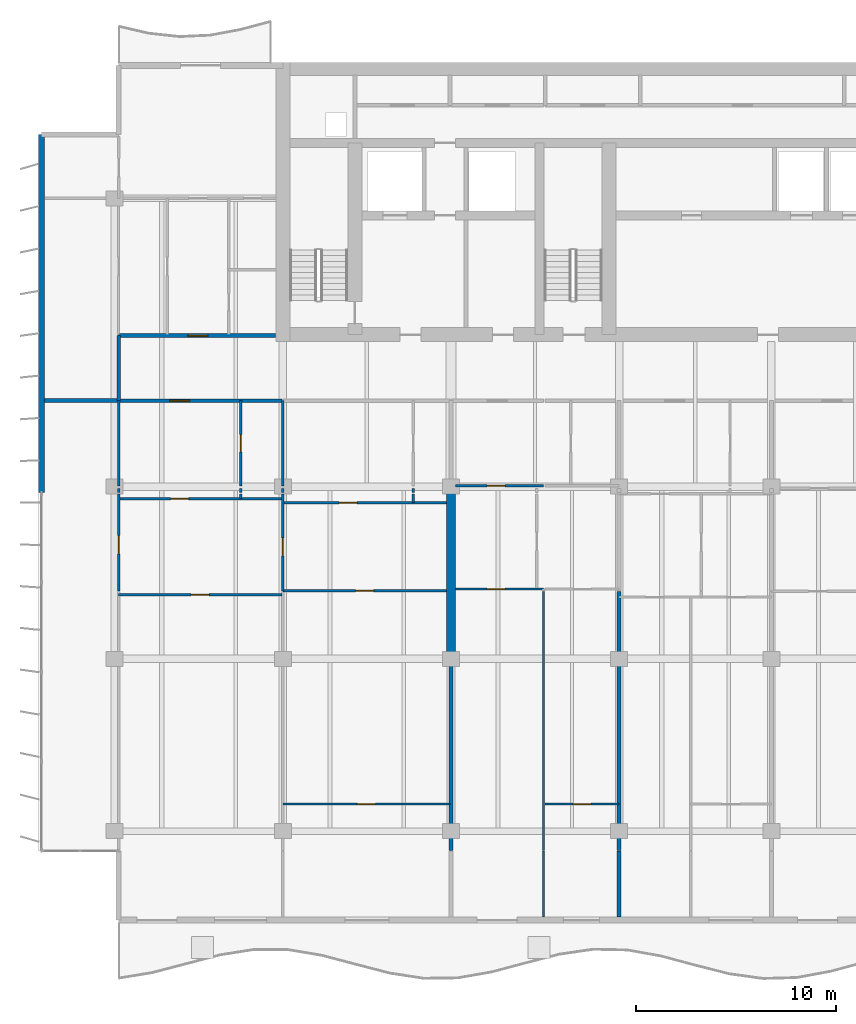
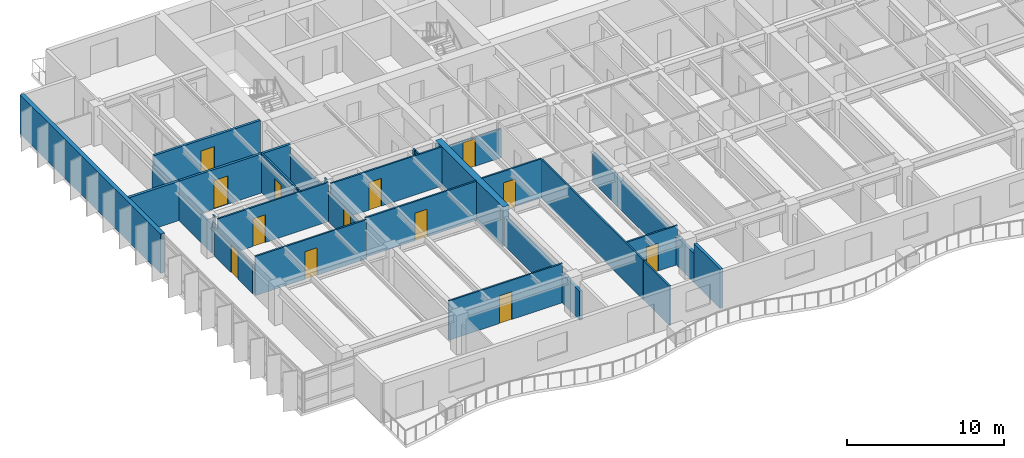
# One storey, part 8 of 19: 30 walls, 13 doors, 13 openings.
"""IFC4 building model written with IfcOpenShell, lengths in metres."""

from ifc_helpers import new_model, si_unit, direction, frame, frame_2d, origin, place, context, subcontext, project, spatial, rectangle, extrude, material, layer, layer_set, type_object, element, fill, save


model = new_model("IFC4")

# Units and contexts
model_context = context("Model", 3, precision=1e-05, world=origin(), true_north=direction((0.0, 1.0)))
body_context = subcontext(model_context, "Body", "Model", "MODEL_VIEW")
ifc_project = project(units=[si_unit("LENGTHUNIT", "METRE"), si_unit("AREAUNIT", "SQUARE_METRE"), si_unit("VOLUMEUNIT", "CUBIC_METRE"), si_unit("PLANEANGLEUNIT", "RADIAN"), si_unit("MASSUNIT", "GRAM", prefix="KILO")], contexts=[model_context])

# Site, building, storey
site_placement = place(None, origin())
site = spatial("IfcSite", under=ifc_project, at=site_placement, CompositionType="ELEMENT")
building_placement = place(site_placement, origin())
building = spatial("IfcBuilding", under=site, at=building_placement, Name="Caelmar Bay Residences", CompositionType="ELEMENT")
storey_placement = place(building_placement, frame((0.0, 0.0, 167.10009765625)))
storey = spatial("IfcBuildingStorey", under=building, at=storey_placement, Name="L46", CompositionType="ELEMENT", Elevation=167.10009765625)

# Walls
ifc_material_1 = material(Name="Concrete f'c 55 MPa (8,000 psi)", Category="concrete")
ifc_layer_1 = layer(ifc_material_1, 0.449951171875)
ifc_layer_set_1 = layer_set([ifc_layer_1], Name="Concrete f'c 55 MPa (8,000 psi)")
wall_type_1 = type_object("IfcWallType", Name="SW-XSLB-450", PredefinedType="SHEAR", material=ifc_layer_set_1)
wall_1_placement = place(storey_placement, frame((26.699951171875, 20.800048828125, 0.0), z_axis=(0.0, 0.0, 1.0), x_axis=(0.0, 1.0, 0.0)))
element("IfcWall", 1, at=wall_1_placement, inside=storey, type_object=wall_type_1, Name="L46 Transverse Cross-Slab Shear Wall W5", PredefinedType="SHEAR", context=body_context, shape_type="SweptSolid", body=[
    extrude(rectangle(XDim=8.599853515625, YDim=0.449951171875, at=frame_2d((4.2998046875, 0.0))), origin(), (0.0, 0.0, 1.0), 3.0498046875),
])
ifc_material_2 = material(Name="Double-stud acoustic fire-rated gypsum partition 180 mm")
ifc_layer_2 = layer(ifc_material_2, 0.179931640625)
ifc_layer_set_2 = layer_set([ifc_layer_2], Name="Double-stud acoustic fire-rated gypsum partition 180 mm")
wall_type_2 = type_object("IfcWallType", Name="W-COR-200", PredefinedType="PARTITIONING", material=ifc_layer_set_2)
wall_2_placement = place(storey_placement, frame((10.10009765625, 33.705078125, 0.0), z_axis=(0.0, 0.0, 1.0), x_axis=(0.0, 1.0, 0.0)))
element("IfcWall", 2, at=wall_2_placement, inside=storey, type_object=wall_type_2, Name="L46 Partition Wall V005", PredefinedType="PARTITIONING", context=body_context, shape_type="SweptSolid", body=[
    extrude(rectangle(XDim=3.244873046875, YDim=0.179931640625, at=frame_2d((1.62255859375, 0.0))), origin(), (0.0, 0.0, 1.0), 2.262939453125),
])

# Wall, opening, door
wall_3_placement = place(storey_placement, frame((10.10498046875, 33.699951171875, 0.0), z_axis=(0.0, 0.0, 1.0), x_axis=(1.0, 0.0, 0.0)))
wall_3 = element("IfcWall", 3, at=wall_3_placement, inside=storey, type_object=wall_type_2, Name="L46 Partition Wall H114", PredefinedType="PARTITIONING", context=body_context, shape_type="SweptSolid", body=[
    extrude(rectangle(XDim=8.14501953125, YDim=0.179931640625, at=frame_2d((4.072509765625, 0.0))), origin(), (0.0, 0.0, 1.0), 3.0498046875),
])
opening_1_placement = place(wall_3_placement, frame((2.54638671875, 0.0, 0.0)))
opening_1 = element("IfcOpeningElement", 4, at=opening_1_placement, cuts=wall_3, Name="Opening D-L46-123", PredefinedType="OPENING", context=body_context, shape_type="SweptSolid", body=[
    extrude(rectangle(XDim=1.0, YDim=2.199951171875, at=frame_2d((0.5, 1.10009765625))), frame((0.0, 0.099853515625, 0.0), z_axis=(0.0, -1.0, 0.0), x_axis=(1.0, 0.0, 0.0)), (0.0, 0.0, 1.0), 0.199951171875),
])
ifc_material_3 = material(Name="Fire-rated steel and walnut architectural door assembly", Category="steel")
ifc_layer_3 = layer(ifc_material_3, 0.050048828125)
ifc_layer_set_3 = layer_set([ifc_layer_3], Name="Fire-rated steel and walnut architectural door assembly")
door_type_1 = type_object("IfcDoorType", Name="D-UNIT-1000", OperationType="NOTDEFINED", PredefinedType="DOOR", material=ifc_layer_set_3)
door_1_placement = place(opening_1_placement, origin())
door_1 = element("IfcDoor", 5, at=door_1_placement, inside=storey, type_object=door_type_1, Name="L46 Residence 01 Apartment Hall Door", OperationType="SINGLE_SWING_RIGHT", OverallHeight=2.199951171875, OverallWidth=1.0, PredefinedType="DOOR", context=body_context, shape_type="SweptSolid", body=[
    extrude(rectangle(XDim=1.0, YDim=2.199951171875, at=frame_2d((0.5, 1.10009765625))), frame((0.0, 0.02490234375, 0.0), z_axis=(0.0, -1.0, 0.0), x_axis=(1.0, 0.0, 0.0)), (0.0, 0.0, 1.0), 0.050048828125),
])
fill(opening_1, door_1)

wall_4_placement = place(storey_placement, frame((10.10009765625, 36.949951171875, 0.0), z_axis=(0.0, 0.0, 1.0), x_axis=(1.0, 0.0, 0.0)))
wall_4 = element("IfcWall", 6, at=wall_4_placement, inside=storey, type_object=wall_type_2, Name="L46 Partition Wall H120", PredefinedType="PARTITIONING", context=body_context, shape_type="SweptSolid", body=[
    extrude(rectangle(XDim=7.844970703125, YDim=0.179931640625, at=frame_2d((3.92236328125, 0.0))), origin(), (0.0, 0.0, 1.0), 3.0498046875),
])
opening_2_placement = place(wall_4_placement, frame((3.4599609375, 0.0, 0.0)))
opening_2 = element("IfcOpeningElement", 7, at=opening_2_placement, cuts=wall_4, Name="Opening D-L46-166", PredefinedType="OPENING", context=body_context, shape_type="SweptSolid", body=[
    extrude(rectangle(XDim=1.0, YDim=2.199951171875, at=frame_2d((0.5, 1.10009765625))), frame((0.0, 0.099853515625, 0.0), z_axis=(0.0, -1.0, 0.0), x_axis=(1.0, 0.0, 0.0)), (0.0, 0.0, 1.0), 0.199951171875),
])
door_2_placement = place(opening_2_placement, origin())
door_2 = element("IfcDoor", 8, at=door_2_placement, inside=storey, type_object=door_type_1, Name="L46 Residence WA Kitchen Door", OperationType="SINGLE_SWING_LEFT", OverallHeight=2.199951171875, OverallWidth=1.0, PredefinedType="DOOR", context=body_context, shape_type="SweptSolid", body=[
    extrude(rectangle(XDim=1.0, YDim=2.199951171875, at=frame_2d((0.5, 1.10009765625))), frame((0.0, 0.02490234375, 0.0), z_axis=(0.0, -1.0, 0.0), x_axis=(1.0, 0.0, 0.0)), (0.0, 0.0, 1.0), 0.050048828125),
])
fill(opening_2, door_2)

# Wall
ifc_material_4 = material(Name="Precast concrete f'c 40 MPa (6,000 psi)", Category="concrete")
ifc_layer_4 = layer(ifc_material_4, 0.300048828125)
ifc_layer_set_4 = layer_set([ifc_layer_4], Name="Precast concrete f'c 40 MPa (6,000 psi)")
wall_type_3 = type_object("IfcWallType", Name="W-EXT-300", PredefinedType="STANDARD", material=ifc_layer_set_4)
wall_5_placement = place(storey_placement, frame((6.25, 29.10009765625, 0.0), z_axis=(0.0, 0.0, 1.0), x_axis=(0.0, 1.0, 0.0)))
element("IfcWall", 9, at=wall_5_placement, inside=storey, type_object=wall_type_3, Name="L46 West Rear Exterior Wall", PredefinedType="STANDARD", context=body_context, shape_type="SweptSolid", body=[
    extrude(rectangle(XDim=17.89990234375, YDim=0.300048828125, at=frame_2d((8.949951171875, 0.0))), origin(), (0.0, 0.0, 1.0), 3.0498046875),
])

# Wall, opening, door
ifc_material_5 = material(Name="Acoustic metal-stud gypsum partition 120 mm")
ifc_layer_5 = layer(ifc_material_5, 0.1201171875)
ifc_layer_set_5 = layer_set([ifc_layer_5], Name="Acoustic metal-stud gypsum partition 120 mm")
wall_type_4 = type_object("IfcWallType", Name="W-PRT-120", PredefinedType="PARTITIONING", material=ifc_layer_set_5)
wall_6_placement = place(storey_placement, frame((10.10009765625, 24.199951171875, 0.0), z_axis=(0.0, 0.0, 1.0), x_axis=(0.0, 1.0, 0.0)))
wall_6 = element("IfcWall", 10, at=wall_6_placement, inside=storey, type_object=wall_type_4, Name="L46 Partition Wall V002", PredefinedType="PARTITIONING", context=body_context, shape_type="SweptSolid", body=[
    extrude(rectangle(XDim=4.840087890625, YDim=0.1201171875, at=frame_2d((2.419921875, 0.0))), origin(), (0.0, 0.0, 1.0), 2.262939453125),
])
opening_3_placement = place(wall_6_placement, frame((1.85009765625, 0.0, 0.0)))
opening_3 = element("IfcOpeningElement", 11, at=opening_3_placement, cuts=wall_6, Name="Opening D-L46-163", PredefinedType="OPENING", context=body_context, shape_type="SweptSolid", body=[
    extrude(rectangle(XDim=0.89990234375, YDim=2.14990234375, at=frame_2d((0.449951171875, 1.074951171875))), frame((0.0, 0.070068359375, 0.0), z_axis=(0.0, -1.0, 0.0), x_axis=(1.0, 0.0, 0.0)), (0.0, 0.0, 1.0), 0.14013671875),
])
ifc_material_6 = material(Name="Solid walnut timber interior door leaf and frame", Category="wood")
ifc_layer_6 = layer(ifc_material_6, 0.050048828125)
ifc_layer_set_6 = layer_set([ifc_layer_6], Name="Solid walnut timber interior door leaf and frame")
door_type_2 = type_object("IfcDoorType", Name="D-ROOM-900", OperationType="NOTDEFINED", PredefinedType="DOOR", material=ifc_layer_set_6)
door_3_placement = place(opening_3_placement, origin())
door_3 = element("IfcDoor", 12, at=door_3_placement, inside=storey, type_object=door_type_2, Name="L46 Residence 01 Penthouse West Salon Door", OperationType="SINGLE_SWING_RIGHT", OverallHeight=2.14990234375, OverallWidth=0.89990234375, PredefinedType="DOOR", context=body_context, shape_type="SweptSolid", body=[
    extrude(rectangle(XDim=0.89990234375, YDim=2.14990234375, at=frame_2d((0.449951171875, 1.074951171875))), frame((0.0, 0.02490234375, 0.0), z_axis=(0.0, -1.0, 0.0), x_axis=(1.0, 0.0, 0.0)), (0.0, 0.0, 1.0), 0.050048828125),
])
fill(opening_3, door_3)

# Walls
wall_7_placement = place(storey_placement, frame((10.10009765625, 29.10009765625, 0.0), z_axis=(0.0, 0.0, 1.0), x_axis=(0.0, 1.0, 0.0)))
element("IfcWall", 13, at=wall_7_placement, inside=storey, type_object=wall_type_4, Name="L46 Partition Wall V003", PredefinedType="PARTITIONING", context=body_context, shape_type="SweptSolid", body=[
    extrude(rectangle(XDim=0.219970703125, YDim=0.1201171875, at=frame_2d((0.10986328125, 0.0))), origin(), (0.0, 0.0, 1.0), 3.0498046875),
])
wall_8_placement = place(storey_placement, frame((10.10009765625, 29.43994140625, 0.0), z_axis=(0.0, 0.0, 1.0), x_axis=(0.0, 1.0, 0.0)))
element("IfcWall", 14, at=wall_8_placement, inside=storey, type_object=wall_type_4, Name="L46 Partition Wall V004", PredefinedType="PARTITIONING", context=body_context, shape_type="SweptSolid", body=[
    extrude(rectangle(XDim=4.260009765625, YDim=0.1201171875, at=frame_2d((2.1298828125, 0.0))), origin(), (0.0, 0.0, 1.0), 2.262939453125),
])
wall_9_placement = place(storey_placement, frame((16.197998046875, 28.800048828125, 0.0), z_axis=(0.0, 0.0, 1.0), x_axis=(0.0, 1.0, 0.0)))
element("IfcWall", 15, at=wall_9_placement, inside=storey, type_object=wall_type_4, Name="L46 Partition Wall V010", PredefinedType="PARTITIONING", context=body_context, shape_type="SweptSolid", body=[
    extrude(rectangle(XDim=0.239990234375, YDim=0.1201171875, at=frame_2d((0.1201171875, 0.0))), origin(), (0.0, 0.0, 1.0), 3.0498046875),
])
wall_10_placement = place(storey_placement, frame((16.197998046875, 29.10009765625, 0.0), z_axis=(0.0, 0.0, 1.0), x_axis=(0.0, 1.0, 0.0)))
element("IfcWall", 16, at=wall_10_placement, inside=storey, type_object=wall_type_4, Name="L46 Partition Wall V011", PredefinedType="PARTITIONING", context=body_context, shape_type="SweptSolid", body=[
    extrude(rectangle(XDim=0.219970703125, YDim=0.1201171875, at=frame_2d((0.10986328125, 0.0))), origin(), (0.0, 0.0, 1.0), 3.0498046875),
])

# Wall, opening, door
wall_11_placement = place(storey_placement, frame((16.197998046875, 29.43994140625, 0.0), z_axis=(0.0, 0.0, 1.0), x_axis=(0.0, 1.0, 0.0)))
wall_11 = element("IfcWall", 17, at=wall_11_placement, inside=storey, type_object=wall_type_4, Name="L46 Partition Wall V012", PredefinedType="PARTITIONING", context=body_context, shape_type="SweptSolid", body=[
    extrude(rectangle(XDim=4.260009765625, YDim=0.1201171875, at=frame_2d((2.1298828125, 0.0))), origin(), (0.0, 0.0, 1.0), 3.0498046875),
])
opening_4_placement = place(wall_11_placement, frame((1.705078125, 0.0, 0.0)))
opening_4 = element("IfcOpeningElement", 18, at=opening_4_placement, cuts=wall_11, Name="Opening D-L46-124", PredefinedType="OPENING", context=body_context, shape_type="SweptSolid", body=[
    extrude(rectangle(XDim=0.85009765625, YDim=2.10009765625, at=frame_2d((0.425048828125, 1.050048828125))), frame((0.0, 0.070068359375, 0.0), z_axis=(0.0, -1.0, 0.0), x_axis=(1.0, 0.0, 0.0)), (0.0, 0.0, 1.0), 0.14013671875),
])
ifc_layer_7 = layer(ifc_material_6, 0.050048828125)
ifc_layer_set_7 = layer_set([ifc_layer_7], Name="Solid walnut timber interior door leaf and frame")
door_type_3 = type_object("IfcDoorType", Name="D-BATH-850", OperationType="NOTDEFINED", PredefinedType="DOOR", material=ifc_layer_set_7)
door_4_placement = place(opening_4_placement, origin())
door_4 = element("IfcDoor", 19, at=door_4_placement, inside=storey, type_object=door_type_3, Name="L46 Residence 01 Guest Bathroom Door", OperationType="SINGLE_SWING_LEFT", OverallHeight=2.10009765625, OverallWidth=0.85009765625, PredefinedType="DOOR", context=body_context, shape_type="SweptSolid", body=[
    extrude(rectangle(XDim=0.85009765625, YDim=2.10009765625, at=frame_2d((0.425048828125, 1.050048828125))), frame((0.0, 0.02490234375, 0.0), z_axis=(0.0, -1.0, 0.0), x_axis=(1.0, 0.0, 0.0)), (0.0, 0.0, 1.0), 0.050048828125),
])
fill(opening_4, door_4)

wall_12_placement = place(storey_placement, frame((18.300048828125, 24.199951171875, 0.0), z_axis=(0.0, 0.0, 1.0), x_axis=(0.0, 1.0, 0.0)))
wall_12 = element("IfcWall", 20, at=wall_12_placement, inside=storey, type_object=wall_type_4, Name="L46 Partition Wall V015", PredefinedType="PARTITIONING", context=body_context, shape_type="SweptSolid", body=[
    extrude(rectangle(XDim=4.840087890625, YDim=0.1201171875, at=frame_2d((2.419921875, 0.0))), origin(), (0.0, 0.0, 1.0), 2.262939453125),
])
opening_5_placement = place(wall_12_placement, frame((1.75, 0.0, 0.0)))
opening_5 = element("IfcOpeningElement", 21, at=opening_5_placement, cuts=wall_12, Name="Opening D-L46-127", PredefinedType="OPENING", context=body_context, shape_type="SweptSolid", body=[
    extrude(rectangle(XDim=0.89990234375, YDim=2.14990234375, at=frame_2d((0.449951171875, 1.074951171875))), frame((0.0, 0.070068359375, 0.0), z_axis=(0.0, -1.0, 0.0), x_axis=(1.0, 0.0, 0.0)), (0.0, 0.0, 1.0), 0.14013671875),
])
door_5_placement = place(opening_5_placement, origin())
door_5 = element("IfcDoor", 22, at=door_5_placement, inside=storey, type_object=door_type_2, Name="L46 Residence 01 Library Study 1 Door", OperationType="SINGLE_SWING_RIGHT", OverallHeight=2.14990234375, OverallWidth=0.89990234375, PredefinedType="DOOR", context=body_context, shape_type="SweptSolid", body=[
    extrude(rectangle(XDim=0.89990234375, YDim=2.14990234375, at=frame_2d((0.449951171875, 1.074951171875))), frame((0.0, 0.02490234375, 0.0), z_axis=(0.0, -1.0, 0.0), x_axis=(1.0, 0.0, 0.0)), (0.0, 0.0, 1.0), 0.050048828125),
])
fill(opening_5, door_5)

# Walls
wall_13_placement = place(storey_placement, frame((18.300048828125, 29.10009765625, 0.0), z_axis=(0.0, 0.0, 1.0), x_axis=(0.0, 1.0, 0.0)))
element("IfcWall", 23, at=wall_13_placement, inside=storey, type_object=wall_type_4, Name="L46 Partition Wall V016", PredefinedType="PARTITIONING", context=body_context, shape_type="SweptSolid", body=[
    extrude(rectangle(XDim=0.219970703125, YDim=0.1201171875, at=frame_2d((0.10986328125, 0.0))), origin(), (0.0, 0.0, 1.0), 3.0498046875),
])
wall_14_placement = place(storey_placement, frame((18.300048828125, 29.43994140625, 0.0), z_axis=(0.0, 0.0, 1.0), x_axis=(0.0, 1.0, 0.0)))
element("IfcWall", 24, at=wall_14_placement, inside=storey, type_object=wall_type_4, Name="L46 Partition Wall V017", PredefinedType="PARTITIONING", context=body_context, shape_type="SweptSolid", body=[
    extrude(rectangle(XDim=4.260009765625, YDim=0.1201171875, at=frame_2d((2.1298828125, 0.0))), origin(), (0.0, 0.0, 1.0), 2.262939453125),
])
wall_15_placement = place(storey_placement, frame((24.818115234375, 28.60009765625, 0.0), z_axis=(0.0, 0.0, 1.0), x_axis=(0.0, 1.0, 0.0)))
element("IfcWall", 25, at=wall_15_placement, inside=storey, type_object=wall_type_4, Name="L46 Partition Wall V019", PredefinedType="PARTITIONING", context=body_context, shape_type="SweptSolid", body=[
    extrude(rectangle(XDim=0.43994140625, YDim=0.1201171875, at=frame_2d((0.219970703125, 0.0))), origin(), (0.0, 0.0, 1.0), 3.0498046875),
])
wall_16_placement = place(storey_placement, frame((24.818115234375, 29.10009765625, 0.0), z_axis=(0.0, 0.0, 1.0), x_axis=(0.0, 1.0, 0.0)))
element("IfcWall", 26, at=wall_16_placement, inside=storey, type_object=wall_type_4, Name="L46 Partition Wall V020", PredefinedType="PARTITIONING", context=body_context, shape_type="SweptSolid", body=[
    extrude(rectangle(XDim=0.219970703125, YDim=0.1201171875, at=frame_2d((0.10986328125, 0.0))), origin(), (0.0, 0.0, 1.0), 3.0498046875),
])
wall_17_placement = place(storey_placement, frame((31.320068359375, 7.89501953125, 0.0), z_axis=(0.0, 0.0, 1.0), x_axis=(0.0, 1.0, 0.0)))
element("IfcWall", 27, at=wall_17_placement, inside=storey, type_object=wall_type_4, Name="L46 Partition Wall V031", PredefinedType="PARTITIONING", context=body_context, shape_type="SweptSolid", body=[
    extrude(rectangle(XDim=3.304931640625, YDim=0.1201171875, at=frame_2d((1.65234375, 0.0))), origin(), (0.0, 0.0, 1.0), 3.0498046875),
])
wall_18_placement = place(storey_placement, frame((31.320068359375, 11.239990234375, 0.0), z_axis=(0.0, 0.0, 1.0), x_axis=(0.0, 1.0, 0.0)))
element("IfcWall", 28, at=wall_18_placement, inside=storey, type_object=wall_type_4, Name="L46 Partition Wall V032", PredefinedType="PARTITIONING", context=body_context, shape_type="SweptSolid", body=[
    extrude(rectangle(XDim=12.929931640625, YDim=0.1201171875, at=frame_2d((6.46484375, 0.0))), origin(), (0.0, 0.0, 1.0), 3.0498046875),
])

# Wall, opening, door
wall_19_placement = place(storey_placement, frame((18.300048828125, 13.550048828125, 0.0), z_axis=(0.0, 0.0, 1.0), x_axis=(1.0, 0.0, 0.0)))
wall_19 = element("IfcWall", 29, at=wall_19_placement, inside=storey, type_object=wall_type_4, Name="L46 Partition Wall H092", PredefinedType="PARTITIONING", context=body_context, shape_type="SweptSolid", body=[
    extrude(rectangle(XDim=8.349853515625, YDim=0.1201171875, at=frame_2d((4.1748046875, 0.0))), origin(), (0.0, 0.0, 1.0), 3.0498046875),
])
opening_6_placement = place(wall_19_placement, frame((3.72509765625, 0.0, 0.0)))
opening_6 = element("IfcOpeningElement", 30, at=opening_6_placement, cuts=wall_19, Name="Opening D-L46-131", PredefinedType="OPENING", context=body_context, shape_type="SweptSolid", body=[
    extrude(rectangle(XDim=0.89990234375, YDim=2.14990234375, at=frame_2d((0.449951171875, 1.074951171875))), frame((0.0, 0.070068359375, 0.0), z_axis=(0.0, -1.0, 0.0), x_axis=(1.0, 0.0, 0.0)), (0.0, 0.0, 1.0), 0.14013671875),
])
door_6_placement = place(opening_6_placement, origin())
door_6 = element("IfcDoor", 31, at=door_6_placement, inside=storey, type_object=door_type_2, Name="L46 Residence 01 Primary Bedroom 1 Door", OperationType="SINGLE_SWING_RIGHT", OverallHeight=2.14990234375, OverallWidth=0.89990234375, PredefinedType="DOOR", context=body_context, shape_type="SweptSolid", body=[
    extrude(rectangle(XDim=0.89990234375, YDim=2.14990234375, at=frame_2d((0.449951171875, 1.074951171875))), frame((0.0, 0.02490234375, 0.0), z_axis=(0.0, -1.0, 0.0), x_axis=(1.0, 0.0, 0.0)), (0.0, 0.0, 1.0), 0.050048828125),
])
fill(opening_6, door_6)

wall_20_placement = place(storey_placement, frame((31.39990234375, 13.550048828125, 0.0), z_axis=(0.0, 0.0, 1.0), x_axis=(1.0, 0.0, 0.0)))
wall_20 = element("IfcWall", 32, at=wall_20_placement, inside=storey, type_object=wall_type_4, Name="L46 Partition Wall H093", PredefinedType="PARTITIONING", context=body_context, shape_type="SweptSolid", body=[
    extrude(rectangle(XDim=3.7001953125, YDim=0.1201171875, at=frame_2d((1.85009765625, 0.0))), origin(), (0.0, 0.0, 1.0), 3.0498046875),
])
opening_7_placement = place(wall_20_placement, frame((1.39990234375, 0.0, 0.0)))
opening_7 = element("IfcOpeningElement", 33, at=opening_7_placement, cuts=wall_20, Name="Opening D-L46-138", PredefinedType="OPENING", context=body_context, shape_type="SweptSolid", body=[
    extrude(rectangle(XDim=0.89990234375, YDim=2.14990234375, at=frame_2d((0.449951171875, 1.074951171875))), frame((0.0, 0.070068359375, 0.0), z_axis=(0.0, -1.0, 0.0), x_axis=(1.0, 0.0, 0.0)), (0.0, 0.0, 1.0), 0.14013671875),
])
door_7_placement = place(opening_7_placement, origin())
door_7 = element("IfcDoor", 34, at=door_7_placement, inside=storey, type_object=door_type_2, Name="L46 Residence 02 Primary Bedroom Door", OperationType="SINGLE_SWING_LEFT", OverallHeight=2.14990234375, OverallWidth=0.89990234375, PredefinedType="DOOR", context=body_context, shape_type="SweptSolid", body=[
    extrude(rectangle(XDim=0.89990234375, YDim=2.14990234375, at=frame_2d((0.449951171875, 1.074951171875))), frame((0.0, 0.02490234375, 0.0), z_axis=(0.0, -1.0, 0.0), x_axis=(1.0, 0.0, 0.0)), (0.0, 0.0, 1.0), 0.050048828125),
])
fill(opening_7, door_7)

wall_21_placement = place(storey_placement, frame((10.10009765625, 24.0, 0.0), z_axis=(0.0, 0.0, 1.0), x_axis=(1.0, 0.0, 0.0)))
wall_21 = element("IfcWall", 35, at=wall_21_placement, inside=storey, type_object=wall_type_4, Name="L46 Partition Wall H098", PredefinedType="PARTITIONING", context=body_context, shape_type="SweptSolid", body=[
    extrude(rectangle(XDim=8.14990234375, YDim=0.1201171875, at=frame_2d((4.074951171875, 0.0))), origin(), (0.0, 0.0, 1.0), 3.0498046875),
])
opening_8_placement = place(wall_21_placement, frame((3.625, 0.0, 0.0)))
opening_8 = element("IfcOpeningElement", 36, at=opening_8_placement, cuts=wall_21, Name="Opening D-L46-126", PredefinedType="OPENING", context=body_context, shape_type="SweptSolid", body=[
    extrude(rectangle(XDim=0.89990234375, YDim=2.14990234375, at=frame_2d((0.449951171875, 1.074951171875))), frame((0.0, 0.070068359375, 0.0), z_axis=(0.0, -1.0, 0.0), x_axis=(1.0, 0.0, 0.0)), (0.0, 0.0, 1.0), 0.14013671875),
])
door_8_placement = place(opening_8_placement, origin())
door_8 = element("IfcDoor", 37, at=door_8_placement, inside=storey, type_object=door_type_2, Name="L46 Residence 01 Penthouse Living Salon Door", OperationType="SINGLE_SWING_LEFT", OverallHeight=2.14990234375, OverallWidth=0.89990234375, PredefinedType="DOOR", context=body_context, shape_type="SweptSolid", body=[
    extrude(rectangle(XDim=0.89990234375, YDim=2.14990234375, at=frame_2d((0.449951171875, 1.074951171875))), frame((0.0, 0.02490234375, 0.0), z_axis=(0.0, -1.0, 0.0), x_axis=(1.0, 0.0, 0.0)), (0.0, 0.0, 1.0), 0.050048828125),
])
fill(opening_8, door_8)

wall_22_placement = place(storey_placement, frame((18.300048828125, 24.199951171875, 0.0), z_axis=(0.0, 0.0, 1.0), x_axis=(1.0, 0.0, 0.0)))
wall_22 = element("IfcWall", 38, at=wall_22_placement, inside=storey, type_object=wall_type_4, Name="L46 Partition Wall H101", PredefinedType="PARTITIONING", context=body_context, shape_type="SweptSolid", body=[
    extrude(rectangle(XDim=8.179931640625, YDim=0.1201171875, at=frame_2d((4.08984375, 0.0))), origin(), (0.0, 0.0, 1.0), 3.0498046875),
])
opening_9_placement = place(wall_22_placement, frame((3.639892578125, 0.0, 0.0)))
opening_9 = element("IfcOpeningElement", 39, at=opening_9_placement, cuts=wall_22, Name="Opening D-L46-130", PredefinedType="OPENING", context=body_context, shape_type="SweptSolid", body=[
    extrude(rectangle(XDim=0.89990234375, YDim=2.14990234375, at=frame_2d((0.449951171875, 1.074951171875))), frame((0.0, 0.070068359375, 0.0), z_axis=(0.0, -1.0, 0.0), x_axis=(1.0, 0.0, 0.0)), (0.0, 0.0, 1.0), 0.14013671875),
])
door_9_placement = place(opening_9_placement, origin())
door_9 = element("IfcDoor", 40, at=door_9_placement, inside=storey, type_object=door_type_2, Name="L46 Residence 01 Penthouse Sitting Salon 1 Door", OperationType="SINGLE_SWING_LEFT", OverallHeight=2.14990234375, OverallWidth=0.89990234375, PredefinedType="DOOR", context=body_context, shape_type="SweptSolid", body=[
    extrude(rectangle(XDim=0.89990234375, YDim=2.14990234375, at=frame_2d((0.449951171875, 1.074951171875))), frame((0.0, 0.02490234375, 0.0), z_axis=(0.0, -1.0, 0.0), x_axis=(1.0, 0.0, 0.0)), (0.0, 0.0, 1.0), 0.050048828125),
])
fill(opening_9, door_9)

wall_23_placement = place(storey_placement, frame((26.919921875, 24.2900390625, 0.0), z_axis=(0.0, 0.0, 1.0), x_axis=(1.0, 0.0, 0.0)))
wall_23 = element("IfcWall", 41, at=wall_23_placement, inside=storey, type_object=wall_type_4, Name="L46 Partition Wall H103", PredefinedType="PARTITIONING", context=body_context, shape_type="SweptSolid", body=[
    extrude(rectangle(XDim=4.400146484375, YDim=0.1201171875, at=frame_2d((2.2001953125, 0.0))), origin(), (0.0, 0.0, 1.0), 3.0498046875),
])
opening_10_placement = place(wall_23_placement, frame((1.5830078125, 0.0, 0.0)))
opening_10 = element("IfcOpeningElement", 42, at=opening_10_placement, cuts=wall_23, Name="Opening D-L46-136", PredefinedType="OPENING", context=body_context, shape_type="SweptSolid", body=[
    extrude(rectangle(XDim=0.89990234375, YDim=2.14990234375, at=frame_2d((0.449951171875, 1.074951171875))), frame((0.0, 0.070068359375, 0.0), z_axis=(0.0, -1.0, 0.0), x_axis=(1.0, 0.0, 0.0)), (0.0, 0.0, 1.0), 0.14013671875),
])
door_10_placement = place(opening_10_placement, origin())
door_10 = element("IfcDoor", 43, at=door_10_placement, inside=storey, type_object=door_type_2, Name="L46 Residence 02 Penthouse Living Salon Door", OperationType="SINGLE_SWING_LEFT", OverallHeight=2.14990234375, OverallWidth=0.89990234375, PredefinedType="DOOR", context=body_context, shape_type="SweptSolid", body=[
    extrude(rectangle(XDim=0.89990234375, YDim=2.14990234375, at=frame_2d((0.449951171875, 1.074951171875))), frame((0.0, 0.02490234375, 0.0), z_axis=(0.0, -1.0, 0.0), x_axis=(1.0, 0.0, 0.0)), (0.0, 0.0, 1.0), 0.050048828125),
])
fill(opening_10, door_10)

wall_24_placement = place(storey_placement, frame((18.300048828125, 28.60009765625, 0.0), z_axis=(0.0, 0.0, 1.0), x_axis=(1.0, 0.0, 0.0)))
wall_24 = element("IfcWall", 44, at=wall_24_placement, inside=storey, type_object=wall_type_4, Name="L46 Partition Wall H105", PredefinedType="PARTITIONING", context=body_context, shape_type="SweptSolid", body=[
    extrude(rectangle(XDim=8.179931640625, YDim=0.1201171875, at=frame_2d((4.08984375, 0.0))), origin(), (0.0, 0.0, 1.0), 3.0498046875),
])
opening_11_placement = place(wall_24_placement, frame((2.80908203125, 0.0, 0.0)))
opening_11 = element("IfcOpeningElement", 45, at=opening_11_placement, cuts=wall_24, Name="Opening D-L46-128", PredefinedType="OPENING", context=body_context, shape_type="SweptSolid", body=[
    extrude(rectangle(XDim=0.89990234375, YDim=2.14990234375, at=frame_2d((0.449951171875, 1.074951171875))), frame((0.0, 0.070068359375, 0.0), z_axis=(0.0, -1.0, 0.0), x_axis=(1.0, 0.0, 0.0)), (0.0, 0.0, 1.0), 0.14013671875),
])
door_11_placement = place(opening_11_placement, origin())
door_11 = element("IfcDoor", 46, at=door_11_placement, inside=storey, type_object=door_type_2, Name="L46 Residence 01 Home Office 1 Door", OperationType="SINGLE_SWING_LEFT", OverallHeight=2.14990234375, OverallWidth=0.89990234375, PredefinedType="DOOR", context=body_context, shape_type="SweptSolid", body=[
    extrude(rectangle(XDim=0.89990234375, YDim=2.14990234375, at=frame_2d((0.449951171875, 1.074951171875))), frame((0.0, 0.02490234375, 0.0), z_axis=(0.0, -1.0, 0.0), x_axis=(1.0, 0.0, 0.0)), (0.0, 0.0, 1.0), 0.050048828125),
])
fill(opening_11, door_11)

wall_25_placement = place(storey_placement, frame((10.10009765625, 28.800048828125, 0.0), z_axis=(0.0, 0.0, 1.0), x_axis=(1.0, 0.0, 0.0)))
wall_25 = element("IfcWall", 47, at=wall_25_placement, inside=storey, type_object=wall_type_4, Name="L46 Partition Wall H107", PredefinedType="PARTITIONING", context=body_context, shape_type="SweptSolid", body=[
    extrude(rectangle(XDim=8.14990234375, YDim=0.1201171875, at=frame_2d((4.074951171875, 0.0))), origin(), (0.0, 0.0, 1.0), 3.0498046875),
])
opening_12_placement = place(wall_25_placement, frame((2.59912109375, 0.0, 0.0)))
opening_12 = element("IfcOpeningElement", 48, at=opening_12_placement, cuts=wall_25, Name="Opening D-L46-125", PredefinedType="OPENING", context=body_context, shape_type="SweptSolid", body=[
    extrude(rectangle(XDim=0.89990234375, YDim=2.14990234375, at=frame_2d((0.449951171875, 1.074951171875))), frame((0.0, 0.070068359375, 0.0), z_axis=(0.0, -1.0, 0.0), x_axis=(1.0, 0.0, 0.0)), (0.0, 0.0, 1.0), 0.14013671875),
])
door_12_placement = place(opening_12_placement, origin())
door_12 = element("IfcDoor", 49, at=door_12_placement, inside=storey, type_object=door_type_2, Name="L46 Residence 01 Kitchen Door", OperationType="SINGLE_SWING_RIGHT", OverallHeight=2.14990234375, OverallWidth=0.89990234375, PredefinedType="DOOR", context=body_context, shape_type="SweptSolid", body=[
    extrude(rectangle(XDim=0.89990234375, YDim=2.14990234375, at=frame_2d((0.449951171875, 1.074951171875))), frame((0.0, 0.02490234375, 0.0), z_axis=(0.0, -1.0, 0.0), x_axis=(1.0, 0.0, 0.0)), (0.0, 0.0, 1.0), 0.050048828125),
])
fill(opening_12, door_12)

wall_26_placement = place(storey_placement, frame((26.919921875, 29.43994140625, 0.0), z_axis=(0.0, 0.0, 1.0), x_axis=(1.0, 0.0, 0.0)))
wall_26 = element("IfcWall", 50, at=wall_26_placement, inside=storey, type_object=wall_type_4, Name="L46 Partition Wall H111", PredefinedType="PARTITIONING", context=body_context, shape_type="SweptSolid", body=[
    extrude(rectangle(XDim=4.400146484375, YDim=0.1201171875, at=frame_2d((2.2001953125, 0.0))), origin(), (0.0, 0.0, 1.0), 2.262939453125),
])
opening_13_placement = place(wall_26_placement, frame((1.5830078125, 0.0, 0.0)))
opening_13 = element("IfcOpeningElement", 51, at=opening_13_placement, cuts=wall_26, Name="Opening D-L46-134", PredefinedType="OPENING", context=body_context, shape_type="SweptSolid", body=[
    extrude(rectangle(XDim=0.89990234375, YDim=2.14990234375, at=frame_2d((0.449951171875, 1.074951171875))), frame((0.0, 0.070068359375, 0.0), z_axis=(0.0, -1.0, 0.0), x_axis=(1.0, 0.0, 0.0)), (0.0, 0.0, 1.0), 0.14013671875),
])
door_13_placement = place(opening_13_placement, origin())
door_13 = element("IfcDoor", 52, at=door_13_placement, inside=storey, type_object=door_type_2, Name="L46 Residence 02 Kitchen Door", OperationType="SINGLE_SWING_LEFT", OverallHeight=2.14990234375, OverallWidth=0.89990234375, PredefinedType="DOOR", context=body_context, shape_type="SweptSolid", body=[
    extrude(rectangle(XDim=0.89990234375, YDim=2.14990234375, at=frame_2d((0.449951171875, 1.074951171875))), frame((0.0, 0.02490234375, 0.0), z_axis=(0.0, -1.0, 0.0), x_axis=(1.0, 0.0, 0.0)), (0.0, 0.0, 1.0), 0.050048828125),
])
fill(opening_13, door_13)

# Walls
ifc_material_7 = material(Name="Acoustic twin-stud fire-rated inter-tenancy partition 200 mm")
ifc_layer_8 = layer(ifc_material_7, 0.199951171875)
ifc_layer_set_8 = layer_set([ifc_layer_8], Name="Acoustic twin-stud fire-rated inter-tenancy partition 200 mm")
wall_type_5 = type_object("IfcWallType", Name="W-PTY-200", PredefinedType="PARTITIONING", material=ifc_layer_set_8)
wall_27_placement = place(storey_placement, frame((26.699951171875, 11.239990234375, 0.0), z_axis=(0.0, 0.0, 1.0), x_axis=(0.0, 1.0, 0.0)))
element("IfcWall", 53, at=wall_27_placement, inside=storey, type_object=wall_type_5, Name="L46 Partition Wall V025", PredefinedType="PARTITIONING", context=body_context, shape_type="SweptSolid", body=[
    extrude(rectangle(XDim=9.554931640625, YDim=0.199951171875, at=frame_2d((4.77734375, 0.0))), origin(), (0.0, 0.0, 1.0), 2.262939453125),
])
wall_28_placement = place(storey_placement, frame((35.10009765625, 7.89501953125, 0.0), z_axis=(0.0, 0.0, 1.0), x_axis=(0.0, 1.0, 0.0)))
element("IfcWall", 54, at=wall_28_placement, inside=storey, type_object=wall_type_5, Name="L46 Partition Wall V036", PredefinedType="PARTITIONING", context=body_context, shape_type="SweptSolid", body=[
    extrude(rectangle(XDim=3.304931640625, YDim=0.199951171875, at=frame_2d((1.65234375, 0.0))), origin(), (0.0, 0.0, 1.0), 3.0498046875),
])
wall_29_placement = place(storey_placement, frame((35.10009765625, 11.239990234375, 0.0), z_axis=(0.0, 0.0, 1.0), x_axis=(0.0, 1.0, 0.0)))
element("IfcWall", 55, at=wall_29_placement, inside=storey, type_object=wall_type_5, Name="L46 Partition Wall V037", PredefinedType="PARTITIONING", context=body_context, shape_type="SweptSolid", body=[
    extrude(rectangle(XDim=12.929931640625, YDim=0.199951171875, at=frame_2d((6.46484375, 0.0))), origin(), (0.0, 0.0, 1.0), 2.262939453125),
])
wall_30_placement = place(storey_placement, frame((6.39501953125, 33.699951171875, 0.0), z_axis=(0.0, 0.0, 1.0), x_axis=(1.0, 0.0, 0.0)))
element("IfcWall", 56, at=wall_30_placement, inside=storey, type_object=wall_type_5, Name="L46 Partition Wall H113", PredefinedType="PARTITIONING", context=body_context, shape_type="SweptSolid", body=[
    extrude(rectangle(XDim=3.705078125, YDim=0.199951171875, at=frame_2d((1.8525390625, 0.0))), origin(), (0.0, 0.0, 1.0), 3.0498046875),
])

save(model, "model.ifc")
